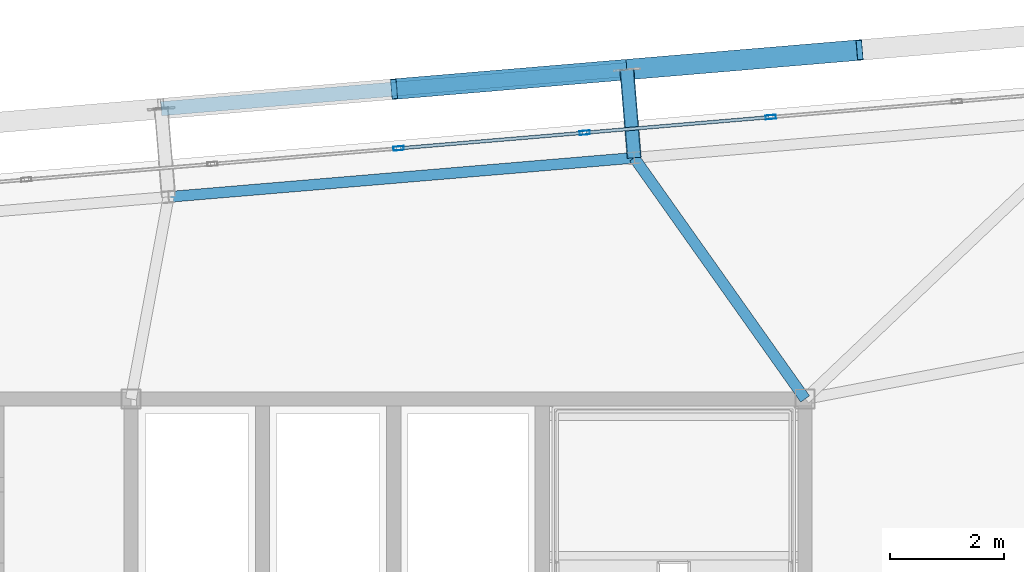
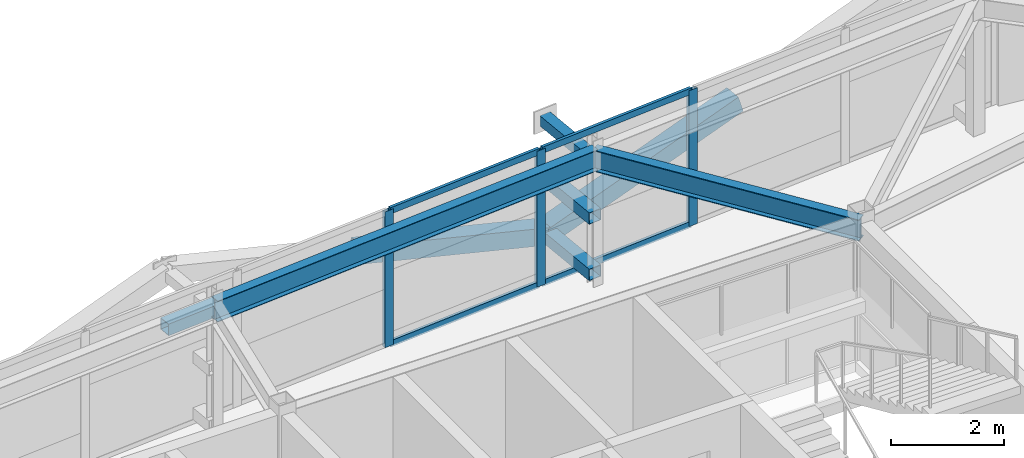
# One storey, part 30 of 44: 13 members, 2 beams, 1 element without a shape of its own.
"""IFC4 building model written with IfcOpenShell, lengths in metres."""

from ifc_helpers import new_model, si_unit, direction, frame, origin, origin_2d, place, context, subcontext, project, spatial, hollow_rectangle, i_section, extrude, source, transform, mapped, material, layer, layer_set, material_profile, profile_set, type_object, element, aggregate, save


model = new_model("IFC4")

# Units and contexts
model_context = context("Model", 3, precision=1e-05, world=origin(), true_north=direction((0.0, 1.0)))
body_context = subcontext(model_context, "Body", "Model", "MODEL_VIEW")
ifc_project = project(units=[si_unit("LENGTHUNIT", "METRE"), si_unit("AREAUNIT", "SQUARE_METRE"), si_unit("VOLUMEUNIT", "CUBIC_METRE"), si_unit("PLANEANGLEUNIT", "RADIAN"), si_unit("MASSUNIT", "GRAM", prefix="KILO")], contexts=[model_context])

# Site, building, storey
site_placement = place(None, origin())
site = spatial("IfcSite", under=ifc_project, at=site_placement, CompositionType="ELEMENT")
building_placement = place(site_placement, origin())
building = spatial("IfcBuilding", under=site, at=building_placement, Name="Taldren Reach Tower", CompositionType="ELEMENT")
storey_placement = place(building_placement, frame((0.0, 0.0, 191.449951171875)))
storey = spatial("IfcBuildingStorey", under=building, at=storey_placement, Name="L58", CompositionType="ELEMENT", Elevation=191.449951171875)

# Members
ifc_material_1 = material(Name="Steel Gr 350 (C350L0)", Category="steel")
ifc_material_profile_1 = material_profile(ifc_material_1, hollow_rectangle(XDim=0.25, YDim=0.25, WallThickness=0.010009765625, at=origin_2d()), Name="250x250x10.0SHS")
ifc_profile_set_1 = profile_set([ifc_material_profile_1], Name="Steel Gr 350 (C350L0)")
member_type_1 = type_object("IfcMemberType", Name="MB-POST250", PredefinedType="POST", material=ifc_profile_set_1)
shared_shape_1 = source(origin(), body_context, "Body", "SweptSolid", [
    extrude(hollow_rectangle(XDim=0.25, YDim=0.25, WallThickness=0.010009765625, at=origin_2d()), origin(), (0.0, 0.0, 1.0), 1.550048828125),
])
for number, where, z_axis, x_axis, name in (
    (1, (48.009033203125, 36.221435546875, 0.219970703125), (-0.083632013783, 0.996496706603, 0.0), (-0.996496706603, -0.083632013783, 0.0), "Exoskeleton base diaphragm tie strut B4-N5 L58"),
    (2, (48.009033203125, 36.221435546875, 1.43505859375), (-0.083632013783, 0.996496706603, 0.0), (-0.996496706603, -0.083632013783, 0.0), "Exoskeleton mid-tier diaphragm tie B4-N5 L58"),
):
    element("IfcMember", number, at=place(storey_placement, frame(where, z_axis=z_axis, x_axis=x_axis)), inside=storey, type_object=member_type_1, Name=name, PredefinedType="POST", context=body_context, shape_type="MappedRepresentation", body=[
        mapped(shared_shape_1, transform((0.0, 0.0, 0.0), scale=1.0)),
    ])

# Beams
ifc_material_2 = material(Name="Steel Gr 350 (350PLUS)", Category="steel")
ifc_material_profile_2 = material_profile(ifc_material_2, i_section(OverallWidth=0.18994140625, OverallDepth=0.4541015625, WebThickness=0.008544921875, FlangeThickness=0.0126953125, at=origin_2d()), Name="460UB67.1")
ifc_profile_set_2 = profile_set([ifc_material_profile_2], Name="Steel Gr 350 (350PLUS)")
beam_type_1 = type_object("IfcBeamType", Name="SP-UB460B", PredefinedType="SPANDREL", material=ifc_profile_set_2)
shared_shape_2 = source(origin(), body_context, "Body", "SweptSolid", [
    extrude(i_section(OverallWidth=0.18994140625, OverallDepth=0.4541015625, WebThickness=0.008544921875, FlangeThickness=0.0126953125, at=origin_2d()), origin(), (0.0, 0.0, 1.0), 8.179931640625),
])
beam_1_placement = place(storey_placement, frame((48.009033203125, 36.221435546875, 2.703125), z_axis=(-0.996494523218, -0.083658025296, 0.0), x_axis=(0.083658025296, -0.996494523218, 0.0)))
element("IfcBeam", 3, at=beam_1_placement, inside=storey, type_object=beam_type_1, Name="Perimeter spandrel B4 N5-N4 L58", PredefinedType="SPANDREL", context=body_context, shape_type="MappedRepresentation", body=[
    mapped(shared_shape_2, transform((0.0, 0.0, 0.0), scale=1.0)),
])
ifc_material_profile_3 = material_profile(ifc_material_2, i_section(OverallWidth=0.19091796875, OverallDepth=0.4599609375, WebThickness=0.010009765625, FlangeThickness=0.01611328125, at=origin_2d()), Name="460UB82.1")
ifc_profile_set_3 = profile_set([ifc_material_profile_3], Name="Steel Gr 350 (350PLUS)")
beam_type_2 = type_object("IfcBeamType", Name="BM-UB460A", PredefinedType="BEAM", material=ifc_profile_set_3)
shared_shape_3 = source(origin(), body_context, "Body", "SweptSolid", [
    extrude(i_section(OverallWidth=0.19091796875, OverallDepth=0.4599609375, WebThickness=0.010009765625, FlangeThickness=0.01611328125, at=origin_2d()), origin(), (0.0, 0.0, 1.0), 5.173583984375),
])
beam_2_placement = place(storey_placement, frame((51.0, 32.0, 2.699951171875), z_axis=(-0.578118152709, 0.8159530633, 0.0), x_axis=(-0.8159530633, -0.578118152709, 0.0)))
element("IfcBeam", 4, at=beam_2_placement, inside=storey, type_object=beam_type_2, Name="Primary floor girder B4-N5 L58", PredefinedType="BEAM", context=body_context, shape_type="MappedRepresentation", body=[
    mapped(shared_shape_3, transform((0.0, 0.0, 0.0), scale=1.0)),
])

# Members
ifc_material_3 = material(Name="Steel Gr 450 (C450L0)", Category="steel")
ifc_material_profile_4 = material_profile(ifc_material_3, hollow_rectangle(XDim=0.219970703125, YDim=0.219970703125, WallThickness=0.00830078125, at=origin_2d()), Name="220x220x8.2SHS")
ifc_profile_set_4 = profile_set([ifc_material_profile_4], Name="Steel Gr 450 (C450L0)")
member_type_2 = type_object("IfcMemberType", Name="MB-TIE219", PredefinedType="STRUT", material=ifc_profile_set_4)
shared_shape_4 = source(origin(), body_context, "Body", "SweptSolid", [
    extrude(hollow_rectangle(XDim=0.219970703125, YDim=0.219970703125, WallThickness=0.00830078125, at=origin_2d()), origin(), (0.0, 0.0, 1.0), 1.550048828125),
])
member_1_placement = place(storey_placement, frame((48.009033203125, 36.221435546875, 2.650146484375), z_axis=(-0.083632013783, 0.996496706603, 0.0), x_axis=(-0.996496706603, -0.083632013783, 0.0)))
element("IfcMember", 5, at=member_1_placement, inside=storey, type_object=member_type_2, Name="Exoskeleton diaphragm tie strut B4-N5 L58", PredefinedType="STRUT", context=body_context, shape_type="MappedRepresentation", body=[
    mapped(shared_shape_4, transform((0.0, 0.0, 0.0), scale=1.0)),
])
shared_shape_5 = source(origin(), body_context, "Body", "SweptSolid", [
    extrude(hollow_rectangle(XDim=0.25, YDim=0.25, WallThickness=0.010009765625, at=origin_2d()), origin(), (0.0, 0.0, 1.0), 8.18017578125),
])
member_2_placement = place(storey_placement, frame((39.72802734375, 37.08154296875, 1.43505859375), z_axis=(0.996492034688, 0.083687662192, 0.0), x_axis=(-0.083687662192, 0.996492034688, 0.0)))
element("IfcMember", 6, at=member_2_placement, inside=storey, type_object=member_type_1, Name="Exoskeleton mid-height ring chord B4-N4 L58", PredefinedType="POST", context=body_context, shape_type="MappedRepresentation", body=[
    mapped(shared_shape_5, transform((0.0, 0.0, 0.0), scale=1.0)),
])
ifc_material_profile_5 = material_profile(ifc_material_3, hollow_rectangle(XDim=0.360107421875, YDim=0.360107421875, WallThickness=0.0126953125, at=origin_2d()), Name="360x360x12.7SHS")
ifc_profile_set_5 = profile_set([ifc_material_profile_5], Name="Steel Gr 450 (C450L0)")
member_type_3 = type_object("IfcMemberType", Name="MB-EXO356", PredefinedType="BRACE", material=ifc_profile_set_5)
shared_shape_6 = source(origin(), body_context, "Body", "SweptSolid", [
    extrude(hollow_rectangle(XDim=0.360107421875, YDim=0.360107421875, WallThickness=0.0126953125, at=origin_2d()), origin(), (0.0, 0.0, 1.0), 4.2666015625),
])
for number, where, z_axis, x_axis, name in (
    (7, (47.87939453125, 37.76611328125, 0.219970703125), (-0.955229159097, -0.080222312271, 0.284783486572), (0.083687662192, -0.996492034688, 0.0), "Exoskeleton Diagrid Brace B4-N4 L58"),
    (8, (47.87939453125, 37.76611328125, 0.219970703125), (0.955229159097, 0.080222312271, 0.284783486572), (-0.083687662192, 0.996492034688, 0.0), "Exoskeleton Diagrid Brace B4-N5 L58"),
):
    element("IfcMember", number, at=place(storey_placement, frame(where, z_axis=z_axis, x_axis=x_axis)), inside=storey, type_object=member_type_3, Name=name, PredefinedType="BRACE", context=body_context, shape_type="MappedRepresentation", body=[
        mapped(shared_shape_6, transform((0.0, 0.0, 0.0), scale=1.0)),
    ])

# Curtain wall, members
ifc_material_4 = material(Name="Aluminium and Low-E Glass Unitised System", Category="aluminium")
ifc_layer = layer(ifc_material_4, 0.159912109375)
ifc_layer_set = layer_set([ifc_layer], Name="Aluminium and Low-E Glass Unitised System")
curtain_wall_type = type_object("IfcCurtainWallType", Name="CW-SYS-5", PredefinedType="NOTDEFINED", material=ifc_layer_set)
curtain_wall_placement = place(storey_placement, origin())
curtain_wall = element("IfcCurtainWall", 9, at=curtain_wall_placement, inside=storey, type_object=curtain_wall_type, Name="Unitised curtain wall CW-L58-N", PredefinedType="NOTDEFINED")
ifc_material_5 = material(Name="Anodised Aluminium 6063-T6", Category="aluminium")
ifc_material_profile_6 = material_profile(ifc_material_5, hollow_rectangle(XDim=0.070068359375, YDim=0.179931640625, WallThickness=0.00390625, at=origin_2d()), Name="ALU-180x70x4RHS")
ifc_profile_set_6 = profile_set([ifc_material_profile_6], Name="Anodised Aluminium 6063-T6")
member_type_4 = type_object("IfcMemberType", Name="CW-MUL-180", PredefinedType="MULLION", material=ifc_profile_set_6)
shared_shape_7 = source(origin(), body_context, "Body", "SweptSolid", [
    extrude(hollow_rectangle(XDim=0.070068359375, YDim=0.179931640625, WallThickness=0.00390625, at=origin_2d()), origin(), (0.0, 0.0, 1.0), 2.929931640625),
])
member_3_placement = place(storey_placement, frame((50.3994140625, 36.93408203125, 0.0), z_axis=(0.0, 0.0, 1.0), x_axis=(0.083677875247, -0.99649285657, 0.0)))
member_3 = element("IfcMember", 10, at=member_3_placement, type_object=member_type_4, Name="CW-5 mullion 3", PredefinedType="MULLION", context=body_context, shape_type="MappedRepresentation", body=[
    mapped(shared_shape_7, transform((0.0, 0.0, 0.0), scale=1.0)),
])
member_4_placement = place(storey_placement, frame((47.1416015625, 36.660400390625, 0.0), z_axis=(0.0, 0.0, 1.0), x_axis=(0.083677875247, -0.99649285657, 0.0)))
member_4 = element("IfcMember", 11, at=member_4_placement, type_object=member_type_4, Name="CW-5 mullion 4", PredefinedType="MULLION", context=body_context, shape_type="MappedRepresentation", body=[
    mapped(shared_shape_7, transform((0.0, 0.0, 0.0), scale=1.0)),
])
member_5_placement = place(storey_placement, frame((43.8837890625, 36.386962890625, 0.0), z_axis=(0.0, 0.0, 1.0), x_axis=(0.083677875247, -0.99649285657, 0.0)))
member_5 = element("IfcMember", 12, at=member_5_placement, type_object=member_type_4, Name="CW-5 mullion 5", PredefinedType="MULLION", context=body_context, shape_type="MappedRepresentation", body=[
    mapped(shared_shape_7, transform((0.0, 0.0, 0.0), scale=1.0)),
])
ifc_material_profile_7 = material_profile(ifc_material_5, hollow_rectangle(XDim=0.06005859375, YDim=0.135009765625, WallThickness=0.00341796875, at=origin_2d()), Name="ALU-135x60x3.5RHS")
ifc_profile_set_7 = profile_set([ifc_material_profile_7], Name="Anodised Aluminium 6063-T6")
member_type_5 = type_object("IfcMemberType", Name="CW-TRN-150", PredefinedType="USERDEFINED", material=ifc_profile_set_7)
shared_shape_8 = source(origin(), body_context, "Body", "SweptSolid", [
    extrude(hollow_rectangle(XDim=0.06005859375, YDim=0.135009765625, WallThickness=0.00341796875, at=origin_2d()), origin(), (0.0, 0.0, 1.0), 3.19921875),
])
member_6_placement = place(storey_placement, frame((50.364501953125, 36.93115234375, 0.030029296875), z_axis=(-0.996489746258, -0.083714906697, 0.0), x_axis=(0.083714906697, -0.996489746258, 0.0)))
member_6 = element("IfcMember", 13, at=member_6_placement, type_object=member_type_5, Name="CW-5 transom 3.1", ObjectType="TRANSOM", PredefinedType="USERDEFINED", context=body_context, shape_type="MappedRepresentation", body=[
    mapped(shared_shape_8, transform((0.0, 0.0, 0.0), scale=1.0)),
])
member_7_placement = place(storey_placement, frame((50.364501953125, 36.93115234375, 2.900146484375), z_axis=(-0.996489746258, -0.083714906697, 0.0), x_axis=(0.083714906697, -0.996489746258, 0.0)))
member_7 = element("IfcMember", 14, at=member_7_placement, type_object=member_type_5, Name="CW-5 transom 3.2", ObjectType="TRANSOM", PredefinedType="USERDEFINED", context=body_context, shape_type="MappedRepresentation", body=[
    mapped(shared_shape_8, transform((0.0, 0.0, 0.0), scale=1.0)),
])
member_8_placement = place(storey_placement, frame((47.106689453125, 36.657470703125, 0.030029296875), z_axis=(-0.996496109493, -0.083639128198, 0.0), x_axis=(0.083639128198, -0.996496109493, 0.0)))
member_8 = element("IfcMember", 15, at=member_8_placement, type_object=member_type_5, Name="CW-5 transom 4.1", ObjectType="TRANSOM", PredefinedType="USERDEFINED", context=body_context, shape_type="MappedRepresentation", body=[
    mapped(shared_shape_8, transform((0.0, 0.0, 0.0), scale=1.0)),
])
member_9_placement = place(storey_placement, frame((47.106689453125, 36.657470703125, 2.900146484375), z_axis=(-0.996496109493, -0.083639128198, 0.0), x_axis=(0.083639128198, -0.996496109493, 0.0)))
member_9 = element("IfcMember", 16, at=member_9_placement, type_object=member_type_5, Name="CW-5 transom 4.2", ObjectType="TRANSOM", PredefinedType="USERDEFINED", context=body_context, shape_type="MappedRepresentation", body=[
    mapped(shared_shape_8, transform((0.0, 0.0, 0.0), scale=1.0)),
])
aggregate(curtain_wall, [member_3, member_4, member_5, member_6, member_7, member_8, member_9])

save(model, "model.ifc")
